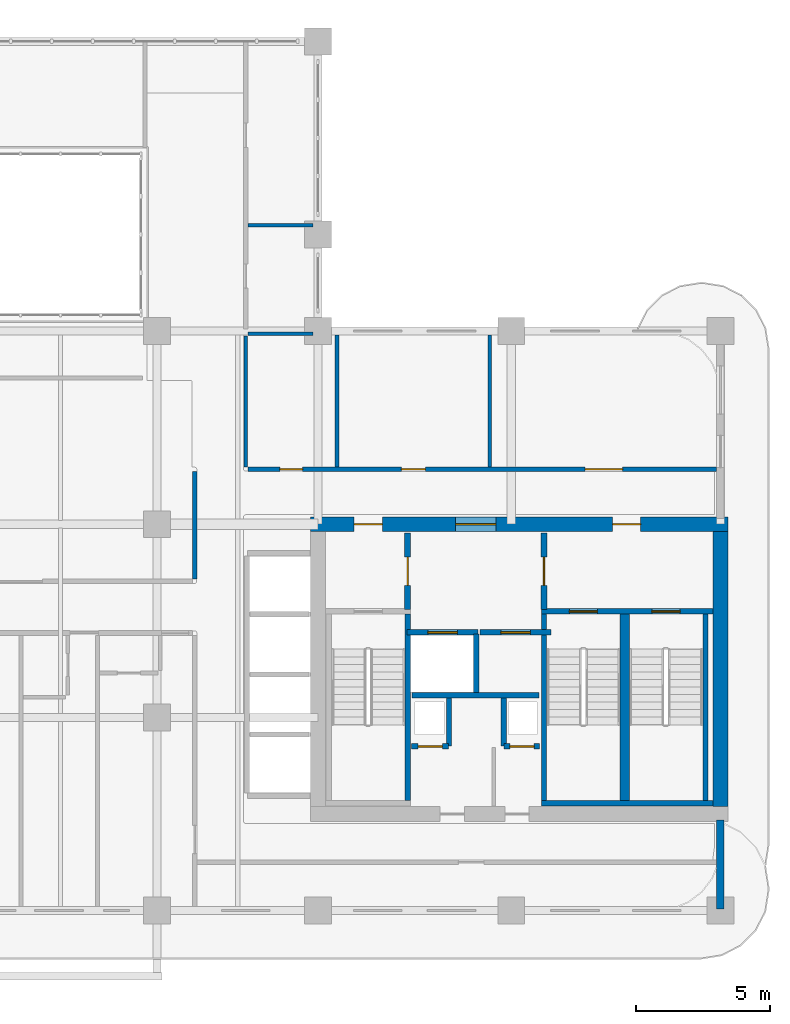
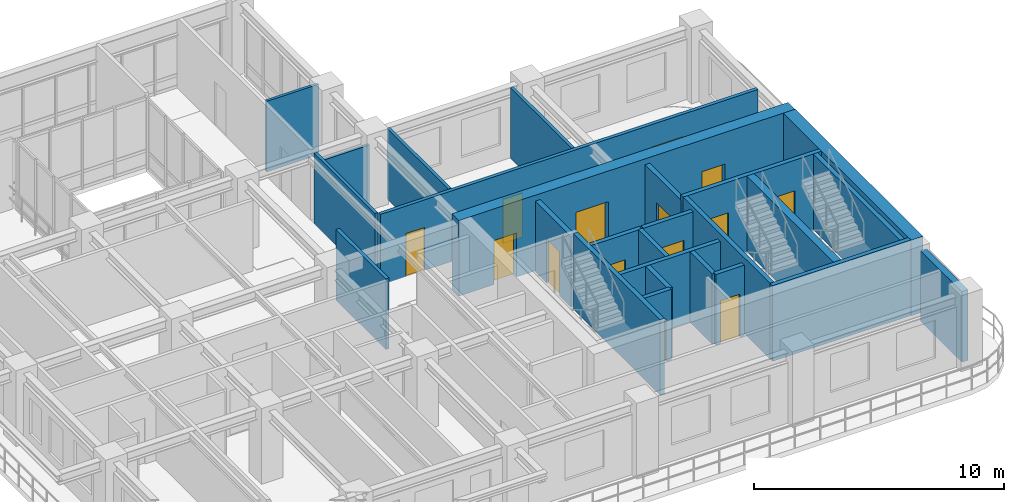
# One storey, part 13 of 20: 26 walls, 14 doors, 14 openings.
"""IFC4 building model written with IfcOpenShell, lengths in metres."""

import ifcopenshell
import ifcopenshell.guid

model = None  # the IFC model being written
_history = None  # IfcOwnerHistory: only IFC2X3 demands one
_inside = {}  # id of a spatial element -> (the spatial element, [elements in it])
_under = {}  # id of a project, library or spatial element -> (it, [spatial elements below it])
_declared = {}  # id of a project -> (the project, [libraries it declares])
_typed = {}  # id of a type object -> (the type object, [elements of that type])
_made_of = {}  # id of a material, layer set ... -> (it, [elements and type objects made of it])


def new_model(schema):
    """Start an empty IFC model of exactly this schema.

    Asked for "IFC4X3", IfcOpenShell would pick the latest addendum, in which some entities
    have other attributes; the version numbers below select the first issue.
    IFC2X3 requires an IfcOwnerHistory on every rooted entity: one is made here for all.
    """
    global model, _history
    if schema == "IFC4X3":
        model = ifcopenshell.file(schema_version=(4, 3, 0, 0))
    else:
        model = ifcopenshell.file(schema=schema)
    _inside.clear()
    _under.clear()
    _declared.clear()
    _typed.clear()
    _made_of.clear()
    _history = None
    if model.schema == "IFC2X3":
        org = make("IfcOrganization", Name="unknown")
        user = make(
            "IfcPersonAndOrganization",
            ThePerson=make("IfcPerson", FamilyName="unknown"),
            TheOrganization=org,
        )
        app = make(
            "IfcApplication",
            ApplicationDeveloper=org,
            Version="unknown",
            ApplicationFullName="unknown",
            ApplicationIdentifier="unknown",
        )
        _history = make(
            "IfcOwnerHistory",
            OwningUser=user,
            OwningApplication=app,
            ChangeAction="ADDED",
            CreationDate=0,
        )
    return model


def make(cls, **values):
    """One entity of the class cls with the attributes given. An attribute that is None is left unset."""
    return model.create_entity(
        cls, **{name: value for name, value in values.items() if value is not None}
    )


def rooted(cls, **values):
    """An entity with a GlobalId (a new one), such as an element, a storey or a relation."""
    return make(cls, GlobalId=ifcopenshell.guid.new(), OwnerHistory=_history, **values)


def si_unit(unit_type, name, prefix=None):
    """IfcSIUnit, for example si_unit("LENGTHUNIT", "METRE", prefix="MILLI")."""
    return make("IfcSIUnit", UnitType=unit_type, Prefix=prefix, Name=name)


def derived_unit(unit_type, elements):
    """IfcDerivedUnit: a product of units, each with its exponent."""
    return make(
        "IfcDerivedUnit",
        Elements=[
            make("IfcDerivedUnitElement", Unit=unit, Exponent=power)
            for unit, power in elements
        ],
        UnitType=unit_type,
    )


def assignment(units):
    """IfcUnitAssignment: the units of a project."""
    return None if units is None else make("IfcUnitAssignment", Units=units)


def point(xyz):
    """IfcCartesianPoint."""
    return None if xyz is None else make("IfcCartesianPoint", Coordinates=xyz)


def direction(xyz):
    """IfcDirection."""
    return None if xyz is None else make("IfcDirection", DirectionRatios=xyz)


def frame(location, z_axis=None, x_axis=None):
    """IfcAxis2Placement3D, a coordinate frame: its origin and axes. An axis left out is left unset."""
    return make(
        "IfcAxis2Placement3D",
        Location=point(location),
        Axis=direction(z_axis),
        RefDirection=direction(x_axis),
    )


def frame_2d(location, x_axis=None):
    """IfcAxis2Placement2D, a coordinate frame in the plane: its origin and x axis."""
    return make(
        "IfcAxis2Placement2D", Location=point(location), RefDirection=direction(x_axis)
    )


def origin():
    """The frame at (0, 0, 0) with its axes left unset."""
    return frame((0.0, 0.0, 0.0))


def place(relative_to, where):
    """IfcLocalPlacement: puts the frame where relative to a parent placement (None: the world)."""
    return make(
        "IfcLocalPlacement", PlacementRelTo=relative_to, RelativePlacement=where
    )


def context(
    kind, dimensions, precision=None, world=None, true_north=None, identifier=None
):
    """IfcGeometricRepresentationContext, for example the 3D "Model" context."""
    return make(
        "IfcGeometricRepresentationContext",
        ContextIdentifier=identifier,
        ContextType=kind,
        CoordinateSpaceDimension=dimensions,
        Precision=precision,
        WorldCoordinateSystem=world,
        TrueNorth=true_north,
    )


def subcontext(parent, identifier, kind, view, scale=None):
    """IfcGeometricRepresentationSubContext, for example "Body" below "Model"."""
    return make(
        "IfcGeometricRepresentationSubContext",
        ContextIdentifier=identifier,
        ContextType=kind,
        ParentContext=parent,
        TargetScale=scale,
        TargetView=view,
    )


def project(units=None, contexts=None):
    """IfcProject with its units and contexts."""
    return rooted(
        "IfcProject",
        Name="project",
        RepresentationContexts=contexts,
        UnitsInContext=assignment(units),
    )


def spatial(cls, under=None, at=None, **own):
    """A site, building, storey or space (cls), placed at a placement, below another one or the project."""
    s = rooted(cls, ObjectPlacement=at, **own)
    if under is not None:
        _under.setdefault(under.id(), (under, []))[1].append(s)
    return s


def profile(cls, at=None, kind="AREA", **sizes):
    """A parametric profile (cls). Its sizes go by their IFC names, for example OverallWidth=200.0."""
    return make(cls, ProfileType=kind, Position=at, **sizes)


def rectangle(**sizes):
    """IfcRectangleProfileDef."""
    return profile("IfcRectangleProfileDef", **sizes)


def extrude(swept, where, along, depth):
    """IfcExtrudedAreaSolid: the profile swept, set in the frame where, extruded along a direction by depth."""
    return make(
        "IfcExtrudedAreaSolid",
        SweptArea=swept,
        Position=where,
        ExtrudedDirection=direction(along),
        Depth=depth,
    )


def shape(context_of_items, identifier, shape_type, items):
    """IfcShapeRepresentation: the items that make up one representation, for example the "Body"."""
    return make(
        "IfcShapeRepresentation",
        ContextOfItems=context_of_items,
        RepresentationIdentifier=identifier,
        RepresentationType=shape_type,
        Items=items,
    )


def source(mapping_origin, context_of_items, identifier, shape_type, items):
    """IfcRepresentationMap: a shape defined once, which mapped items show again and again."""
    return make(
        "IfcRepresentationMap",
        MappingOrigin=mapping_origin,
        MappedRepresentation=shape(context_of_items, identifier, shape_type, items),
    )


def transform(
    local_origin,
    x_axis=None,
    y_axis=None,
    z_axis=None,
    scale=None,
    scale2=None,
    scale3=None,
    uniform=True,
):
    """IfcCartesianTransformationOperator3D, or its non-uniform kind. x_axis, y_axis, z_axis: its Axis1, 2, 3."""
    if uniform:
        return make(
            "IfcCartesianTransformationOperator3D",
            Axis1=direction(x_axis),
            Axis2=direction(y_axis),
            LocalOrigin=point(local_origin),
            Scale=scale,
            Axis3=direction(z_axis),
        )
    return make(
        "IfcCartesianTransformationOperator3DnonUniform",
        Axis1=direction(x_axis),
        Axis2=direction(y_axis),
        LocalOrigin=point(local_origin),
        Scale=scale,
        Axis3=direction(z_axis),
        Scale2=scale2,
        Scale3=scale3,
    )


def mapped(mapping_source, mapping_target):
    """IfcMappedItem: shows the shape of a source again, moved by a transform."""
    return make(
        "IfcMappedItem", MappingSource=mapping_source, MappingTarget=mapping_target
    )


def material(Name=None, Category=None):
    """IfcMaterial."""
    return make("IfcMaterial", Name=Name, Category=Category)


def layer(
    of_material, thickness, ventilated=None, Name=None, Category=None, Priority=None
):
    """IfcMaterialLayer: one layer of a wall or slab, of a material (None: an air gap)."""
    return make(
        "IfcMaterialLayer",
        Material=of_material,
        LayerThickness=thickness,
        IsVentilated=ventilated,
        Name=Name,
        Category=Category,
        Priority=Priority,
    )


def layer_set(layers, Name=None):
    """IfcMaterialLayerSet."""
    return make("IfcMaterialLayerSet", MaterialLayers=layers, LayerSetName=Name)


def made_of(thing, what):
    """Note that an element or type object is made of a material, layer set ...; save() writes the relation."""
    if what is not None:
        _made_of.setdefault(what.id(), (what, []))[1].append(thing)
    return thing


def type_object(cls, material=None, **own):
    """A type object (cls), such as IfcWallType, which elements share."""
    return made_of(rooted(cls, **own), material)


def type_shapes(of_type, sources):
    """Give a type object the sources (RepresentationMaps) that its elements show as mapped items."""
    of_type.RepresentationMaps = sources


def element(
    cls,
    number,
    at=None,
    inside=None,
    cuts=None,
    type_object=None,
    material=None,
    context=None,
    identifier="Body",
    shape_type=None,
    held_by="IfcProductDefinitionShape",
    body=None,
    shapes=None,
    **own,
):
    """One element of the class cls, such as IfcWall. Its Tag is "e" and its number.

    at: its placement. inside: the storey or other place that contains it. cuts: it is an
    opening in that element (IfcRelVoidsElement). A single representation is given by context,
    identifier, shape_type and body (its items); several are given by shapes. held_by: the class
    of the entity that holds the representations. save() writes the other relations.
    """
    e = rooted(cls, Tag="e%d" % number, ObjectPlacement=at, **own)
    if body is not None:
        shapes = [shape(context, identifier, shape_type, body)]
    if shapes is not None:
        e.Representation = make(held_by, Representations=shapes)
    if inside is not None:
        _inside.setdefault(inside.id(), (inside, []))[1].append(e)
    if cuts is not None:
        rooted(
            "IfcRelVoidsElement", RelatingBuildingElement=cuts, RelatedOpeningElement=e
        )
    if type_object is not None:
        _typed.setdefault(type_object.id(), (type_object, []))[1].append(e)
    return made_of(e, material)


def fill(opening, filler):
    """IfcRelFillsElement: the door or window that sits in an opening."""
    return rooted(
        "IfcRelFillsElement",
        RelatingOpeningElement=opening,
        RelatedBuildingElement=filler,
    )


def aggregate(whole, parts):
    """IfcRelAggregates: a whole, such as a stair, and the parts it consists of."""
    return rooted("IfcRelAggregates", RelatingObject=whole, RelatedObjects=parts)


def save(model, path):
    """Write the relations noted so far, then the file.

    IfcRelAggregates (storeys below a building ...), IfcRelContainedInSpatialStructure (elements
    in a storey), IfcRelDefinesByType, IfcRelAssociatesMaterial and IfcRelDeclares: one each for
    every whole, place, type object, material and project.
    """
    for whole, parts in _under.values():
        aggregate(whole, parts)
    for where, things in _inside.values():
        rooted(
            "IfcRelContainedInSpatialStructure",
            RelatedElements=things,
            RelatingStructure=where,
        )
    for kind, things in _typed.values():
        rooted("IfcRelDefinesByType", RelatedObjects=things, RelatingType=kind)
    for what, things in _made_of.values():
        rooted("IfcRelAssociatesMaterial", RelatedObjects=things, RelatingMaterial=what)
    for by, libraries in _declared.values():
        rooted("IfcRelDeclares", RelatingContext=by, RelatedDefinitions=libraries)
    model.write(path)


model = new_model("IFC4")

# Units and contexts
model_context = context("Model", 3, precision=1e-05, world=origin(), true_north=direction((0.0, 1.0)))
body_context = subcontext(model_context, "Body", "Model", "MODEL_VIEW")
ifc_project = project(units=[si_unit("LENGTHUNIT", "METRE"), si_unit("AREAUNIT", "SQUARE_METRE"), si_unit("VOLUMEUNIT", "CUBIC_METRE"), si_unit("PLANEANGLEUNIT", "RADIAN"), si_unit("MASSUNIT", "GRAM", prefix="KILO"), si_unit("THERMODYNAMICTEMPERATUREUNIT", "KELVIN"), si_unit("POWERUNIT", "WATT"), derived_unit("THERMALTRANSMITTANCEUNIT", [(si_unit("POWERUNIT", "WATT"), 1), (si_unit("AREAUNIT", "SQUARE_METRE"), -1), (si_unit("THERMODYNAMICTEMPERATUREUNIT", "KELVIN"), -1)])], contexts=[model_context])

# Site, building, storey
site_placement = place(None, origin())
site = spatial("IfcSite", under=ifc_project, at=site_placement, CompositionType="ELEMENT")
building_placement = place(site_placement, origin())
building = spatial("IfcBuilding", under=site, at=building_placement, Name="Zahravan Archway Hotel and Residences", CompositionType="ELEMENT")
storey_placement = place(building_placement, frame((0.0, 0.0, 119.199951171875)))
storey = spatial("IfcBuildingStorey", under=building, at=storey_placement, Name="L29", CompositionType="ELEMENT", Elevation=119.199951171875)

# Wall, openings, doors
ifc_material_1 = material(Name="Concrete C70/85", Category="concrete")
ifc_layer_1 = layer(ifc_material_1, 0.550048828125, Name="Concrete C70/85", Category="concrete")
ifc_layer_set_1 = layer_set([ifc_layer_1], Name="Concrete C70/85")
wall_type_1 = type_object("IfcWallType", Name="CW-CORE-550", PredefinedType="SHEAR", material=ifc_layer_set_1)
wall_1_placement = place(storey_placement, frame((34.52490234375, 14.39990234375, 0.0), z_axis=(0.0, 0.0, 1.0), x_axis=(1.0, 0.0, 0.0)))
wall_1 = element("IfcWall", 1, at=wall_1_placement, inside=storey, type_object=wall_type_1, Name="L29 Core A Shear N Wall 550 mm", PredefinedType="SHEAR", context=body_context, shape_type="SweptSolid", body=[
    extrude(rectangle(XDim=15.550048828125, YDim=0.550048828125, at=frame_2d((7.77490234375, 0.0))), origin(), (0.0, 0.0, 1.0), 3.699951171875),
])
opening_1_placement = place(wall_1_placement, frame((5.405029296875, 0.0, 0.0)))
opening_1 = element("IfcOpeningElement", 2, at=opening_1_placement, cuts=wall_1, Name="Opening FD-L1", PredefinedType="OPENING", context=body_context, shape_type="SweptSolid", body=[
    extrude(rectangle(XDim=1.5, YDim=2.199951171875, at=frame_2d((0.75, 1.10009765625))), frame((0.0, 0.28515625, 0.0), z_axis=(0.0, -1.0, 0.0), x_axis=(1.0, 0.0, 0.0)), (0.0, 0.0, 1.0), 0.570068359375),
])
opening_2_placement = place(wall_1_placement, frame((1.6201171875, 0.0, 0.0)))
opening_2 = element("IfcOpeningElement", 3, at=opening_2_placement, cuts=wall_1, Name="Opening FD-L2", PredefinedType="OPENING", context=body_context, shape_type="SweptSolid", body=[
    extrude(rectangle(XDim=1.050048828125, YDim=2.14990234375, at=frame_2d((0.52490234375, 1.074951171875))), frame((0.0, 0.28515625, 0.0), z_axis=(0.0, -1.0, 0.0), x_axis=(1.0, 0.0, 0.0)), (0.0, 0.0, 1.0), 0.570068359375),
])
opening_3_placement = place(wall_1_placement, frame((11.25, 0.0, 0.0)))
opening_3 = element("IfcOpeningElement", 4, at=opening_3_placement, cuts=wall_1, Name="Opening FD-L2", PredefinedType="OPENING", context=body_context, shape_type="SweptSolid", body=[
    extrude(rectangle(XDim=1.050048828125, YDim=2.14990234375, at=frame_2d((0.52490234375, 1.074951171875))), frame((0.0, 0.28515625, 0.0), z_axis=(0.0, -1.0, 0.0), x_axis=(1.0, 0.0, 0.0)), (0.0, 0.0, 1.0), 0.570068359375),
])
ifc_material_2 = material(Name="Fire-Rated Painted Steel", Category="steel")
door_type_1 = type_object("IfcDoorType", Name="FD-LOBBY-1100", OperationType="NOTDEFINED", PredefinedType="DOOR", material=ifc_material_2)
shared_shape_1 = source(origin(), body_context, "Body", "SweptSolid", [
    extrude(rectangle(XDim=1.050048828125, YDim=2.14990234375, at=frame_2d((0.52490234375, 1.074951171875))), frame((0.0, 0.02490234375, 0.0), z_axis=(0.0, -1.0, 0.0), x_axis=(1.0, 0.0, 0.0)), (0.0, 0.0, 1.0), 0.050048828125),
])
type_shapes(door_type_1, [shared_shape_1])
door_1_placement = place(opening_2_placement, origin())
door_1 = element("IfcDoor", 5, at=door_1_placement, inside=storey, type_object=door_type_1, Name="L29 Core A West Stair Lobby Door", OperationType="SINGLE_SWING_RIGHT", OverallHeight=2.14990234375, OverallWidth=1.050048828125, PredefinedType="DOOR", context=body_context, shape_type="MappedRepresentation", body=[
    mapped(shared_shape_1, transform((0.0, 0.0, 0.0), scale=1.0)),
])
fill(opening_2, door_1)
door_2_placement = place(opening_3_placement, origin())
door_2 = element("IfcDoor", 6, at=door_2_placement, inside=storey, type_object=door_type_1, Name="L29 Core A East Stair Lobby Door", OperationType="SINGLE_SWING_LEFT", OverallHeight=2.14990234375, OverallWidth=1.050048828125, PredefinedType="DOOR", context=body_context, shape_type="MappedRepresentation", body=[
    mapped(shared_shape_1, transform((0.0, 0.0, 0.0), scale=1.0)),
])
fill(opening_3, door_2)
door_type_2 = type_object("IfcDoorType", Name="FD-LOBBY-1500", OperationType="DOUBLE_DOOR_SINGLE_SWING", PredefinedType="DOOR", material=ifc_material_2)
shared_shape_2 = source(origin(), body_context, "Body", "SweptSolid", [
    extrude(rectangle(XDim=1.5, YDim=2.199951171875, at=frame_2d((0.75, 1.10009765625))), frame((0.0, 0.02490234375, 0.0), z_axis=(0.0, -1.0, 0.0), x_axis=(1.0, 0.0, 0.0)), (0.0, 0.0, 1.0), 0.050048828125),
])
type_shapes(door_type_2, [shared_shape_2])
door_3_placement = place(opening_1_placement, origin())
door_3 = element("IfcDoor", 7, at=door_3_placement, inside=storey, type_object=door_type_2, Name="L29 Core A FSAE Lobby Main Door", OperationType="DOUBLE_DOOR_SINGLE_SWING", OverallHeight=2.199951171875, OverallWidth=1.5, PredefinedType="DOOR", context=body_context, shape_type="MappedRepresentation", body=[
    mapped(shared_shape_2, transform((0.0, 0.0, 0.0), scale=1.0)),
])
fill(opening_1, door_3)

# Walls
wall_2_placement = place(storey_placement, frame((49.800048828125, 3.875, 0.0), z_axis=(0.0, 0.0, 1.0), x_axis=(0.0, 1.0, 0.0)))
element("IfcWall", 8, at=wall_2_placement, inside=storey, type_object=wall_type_1, Name="L29 Core A Shear E Wall 550 mm", PredefinedType="SHEAR", context=body_context, shape_type="SweptSolid", body=[
    extrude(rectangle(XDim=10.25, YDim=0.550048828125, at=frame_2d((5.125, 0.0))), origin(), (0.0, 0.0, 1.0), 3.699951171875),
])
ifc_material_3 = material(Name="Honed Red-Ochre Sandstone & Insulated Block", Category="masonry")
ifc_layer_2 = layer(ifc_material_3, 0.280029296875, Name="Honed Red-Ochre Sandstone & Insulated Block", Category="masonry")
ifc_layer_set_2 = layer_set([ifc_layer_2], Name="Honed Red-Ochre Sandstone & Insulated Block")
wall_type_2 = type_object("IfcWallType", Name="EW-LOG-280", PredefinedType="SOLIDWALL", material=ifc_layer_set_2)
wall_3_placement = place(storey_placement, frame((49.800048828125, 0.050048828125, 0.0), z_axis=(0.0, 0.0, 1.0), x_axis=(0.0, 1.0, 0.0)))
element("IfcWall", 9, at=wall_3_placement, inside=storey, type_object=wall_type_2, Name="L29 Exterior Sandstone Wall WA-ES", PredefinedType="SOLIDWALL", context=body_context, shape_type="SweptSolid", body=[
    extrude(rectangle(XDim=3.329833984375, YDim=0.280029296875, at=frame_2d((1.6650390625, 0.0))), origin(), (0.0, 0.0, 1.0), 3.449951171875),
])

# Wall, opening, door
ifc_material_4 = material(Name="Fire-Rated Gypsum & Concrete Block", Category="concrete")
ifc_layer_3 = layer(ifc_material_4, 0.219970703125, Name="Fire-Rated Gypsum & Concrete Block", Category="concrete")
ifc_layer_set_3 = layer_set([ifc_layer_3], Name="Fire-Rated Gypsum & Concrete Block")
wall_type_3 = type_object("IfcWallType", Name="PW-COMP-220", PredefinedType="PARTITIONING", material=ifc_layer_set_3)
wall_4_placement = place(storey_placement, frame((38.139892578125, 11.219970703125, 0.0), z_axis=(0.0, 0.0, 1.0), x_axis=(0.0, 1.0, 0.0)))
wall_4 = element("IfcWall", 10, at=wall_4_placement, inside=storey, type_object=wall_type_3, Name="L29 Partition CA-LOBW", PredefinedType="PARTITIONING", context=body_context, shape_type="SweptSolid", body=[
    extrude(rectangle(XDim=2.860107421875, YDim=0.219970703125, at=frame_2d((1.43017578125, 0.0))), origin(), (0.0, 0.0, 1.0), 3.449951171875),
])
opening_4_placement = place(wall_4_placement, frame((0.905029296875, 0.0, 0.0)))
opening_4 = element("IfcOpeningElement", 11, at=opening_4_placement, cuts=wall_4, Name="Opening FD-L2", PredefinedType="OPENING", context=body_context, shape_type="SweptSolid", body=[
    extrude(rectangle(XDim=1.050048828125, YDim=2.14990234375, at=frame_2d((0.52490234375, 1.074951171875))), frame((0.0, 0.1201171875, 0.0), z_axis=(0.0, -1.0, 0.0), x_axis=(1.0, 0.0, 0.0)), (0.0, 0.0, 1.0), 0.239990234375),
])
door_4_placement = place(opening_4_placement, origin())
door_4 = element("IfcDoor", 12, at=door_4_placement, inside=storey, type_object=door_type_1, Name="L29 Core A West Stair to FSAE Lobby Door", OperationType="SINGLE_SWING_RIGHT", OverallHeight=2.14990234375, OverallWidth=1.050048828125, PredefinedType="DOOR", context=body_context, shape_type="MappedRepresentation", body=[
    mapped(shared_shape_1, transform((0.0, 0.0, 0.0), scale=1.0)),
])
fill(opening_4, door_4)

wall_5_placement = place(storey_placement, frame((43.219970703125, 11.219970703125, 0.0), z_axis=(0.0, 0.0, 1.0), x_axis=(0.0, 1.0, 0.0)))
wall_5 = element("IfcWall", 13, at=wall_5_placement, inside=storey, type_object=wall_type_3, Name="L29 Partition CA-LOBE", PredefinedType="PARTITIONING", context=body_context, shape_type="SweptSolid", body=[
    extrude(rectangle(XDim=2.860107421875, YDim=0.219970703125, at=frame_2d((1.43017578125, 0.0))), origin(), (0.0, 0.0, 1.0), 3.449951171875),
])
opening_5_placement = place(wall_5_placement, frame((0.905029296875, 0.0, 0.0)))
opening_5 = element("IfcOpeningElement", 14, at=opening_5_placement, cuts=wall_5, Name="Opening FD-L2", PredefinedType="OPENING", context=body_context, shape_type="SweptSolid", body=[
    extrude(rectangle(XDim=1.050048828125, YDim=2.14990234375, at=frame_2d((0.52490234375, 1.074951171875))), frame((0.0, 0.1201171875, 0.0), z_axis=(0.0, -1.0, 0.0), x_axis=(1.0, 0.0, 0.0)), (0.0, 0.0, 1.0), 0.239990234375),
])
door_5_placement = place(opening_5_placement, origin())
door_5 = element("IfcDoor", 15, at=door_5_placement, inside=storey, type_object=door_type_1, Name="L29 Core A East Stair to FSAE Lobby Door", OperationType="SINGLE_SWING_LEFT", OverallHeight=2.14990234375, OverallWidth=1.050048828125, PredefinedType="DOOR", context=body_context, shape_type="MappedRepresentation", body=[
    mapped(shared_shape_1, transform((0.0, 0.0, 0.0), scale=1.0)),
])
fill(opening_5, door_5)

# Wall
ifc_layer_4 = layer(ifc_material_4, 0.159912109375, Name="Fire-Rated Gypsum & Concrete Block", Category="concrete")
ifc_layer_set_4 = layer_set([ifc_layer_4], Name="Fire-Rated Gypsum & Concrete Block")
wall_type_4 = type_object("IfcWallType", Name="PW-CORR-160", PredefinedType="PARTITIONING", material=ifc_layer_set_4)
wall_6_placement = place(storey_placement, frame((30.199951171875, 12.360107421875, 0.0), z_axis=(0.0, 0.0, 1.0), x_axis=(0.0, 1.0, 0.0)))
element("IfcWall", 16, at=wall_6_placement, inside=storey, type_object=wall_type_4, Name="L29 Partition WA-FW", PredefinedType="PARTITIONING", context=body_context, shape_type="SweptSolid", body=[
    extrude(rectangle(XDim=4.0, YDim=0.159912109375, at=frame_2d((2.0, 0.0))), origin(), (0.0, 0.0, 1.0), 3.449951171875),
])

# Wall, openings, doors
wall_7_placement = place(storey_placement, frame((32.18994140625, 16.449951171875, 0.0), z_axis=(0.0, 0.0, 1.0), x_axis=(1.0, 0.0, 0.0)))
wall_7 = element("IfcWall", 17, at=wall_7_placement, inside=storey, type_object=wall_type_4, Name="L29 Partition WA-FN", PredefinedType="PARTITIONING", context=body_context, shape_type="SweptSolid", body=[
    extrude(rectangle(XDim=17.469970703125, YDim=0.159912109375, at=frame_2d((8.73486328125, 0.0))), origin(), (0.0, 0.0, 1.0), 3.449951171875),
])
opening_6_placement = place(wall_7_placement, frame((1.18505859375, 0.0, 0.0)))
opening_6 = element("IfcOpeningElement", 18, at=opening_6_placement, cuts=wall_7, Name="Opening D-B1", PredefinedType="OPENING", context=body_context, shape_type="SweptSolid", body=[
    extrude(rectangle(XDim=0.85009765625, YDim=2.10009765625, at=frame_2d((0.425048828125, 1.050048828125))), frame((0.0, 0.08984375, 0.0), z_axis=(0.0, -1.0, 0.0), x_axis=(1.0, 0.0, 0.0)), (0.0, 0.0, 1.0), 0.179931640625),
])
opening_7_placement = place(wall_7_placement, frame((5.7099609375, 0.0, 0.0)))
opening_7 = element("IfcOpeningElement", 19, at=opening_7_placement, cuts=wall_7, Name="Opening D-I2", PredefinedType="OPENING", context=body_context, shape_type="SweptSolid", body=[
    extrude(rectangle(XDim=0.89990234375, YDim=2.14990234375, at=frame_2d((0.449951171875, 1.074951171875))), frame((0.0, 0.08984375, 0.0), z_axis=(0.0, -1.0, 0.0), x_axis=(1.0, 0.0, 0.0)), (0.0, 0.0, 1.0), 0.179931640625),
])
opening_8_placement = place(wall_7_placement, frame((12.56005859375, 0.0, 0.0)))
opening_8 = element("IfcOpeningElement", 20, at=opening_8_placement, cuts=wall_7, Name="Opening D-P1", PredefinedType="OPENING", context=body_context, shape_type="SweptSolid", body=[
    extrude(rectangle(XDim=1.39990234375, YDim=2.35009765625, at=frame_2d((0.699951171875, 1.175048828125))), frame((0.0, 0.08984375, 0.0), z_axis=(0.0, -1.0, 0.0), x_axis=(1.0, 0.0, 0.0)), (0.0, 0.0, 1.0), 0.179931640625),
])
ifc_material_5 = material(Name="Hardwood Veneer Timber", Category="wood")
door_type_3 = type_object("IfcDoorType", Name="ID-BATH-850", OperationType="NOTDEFINED", PredefinedType="DOOR", material=ifc_material_5)
shared_shape_3 = source(origin(), body_context, "Body", "SweptSolid", [
    extrude(rectangle(XDim=0.85009765625, YDim=2.10009765625, at=frame_2d((0.425048828125, 1.050048828125))), frame((0.0, 0.02490234375, 0.0), z_axis=(0.0, -1.0, 0.0), x_axis=(1.0, 0.0, 0.0)), (0.0, 0.0, 1.0), 0.050048828125),
])
type_shapes(door_type_3, [shared_shape_3])
door_6_placement = place(opening_6_placement, origin())
door_6 = element("IfcDoor", 21, at=door_6_placement, inside=storey, type_object=door_type_3, Name="L29 Accessible Floor Restroom Door", OperationType="SINGLE_SWING_LEFT", OverallHeight=2.10009765625, OverallWidth=0.85009765625, PredefinedType="DOOR", context=body_context, shape_type="MappedRepresentation", body=[
    mapped(shared_shape_3, transform((0.0, 0.0, 0.0), scale=1.0)),
])
fill(opening_6, door_6)
ifc_material_6 = material(Name="Bronze-Anodized Glazed Aluminium", Category="aluminium")
door_type_4 = type_object("IfcDoorType", Name="ID-PUBLIC-1400", OperationType="DOUBLE_DOOR_SINGLE_SWING", PredefinedType="DOOR", material=ifc_material_6)
shared_shape_4 = source(origin(), body_context, "Body", "SweptSolid", [
    extrude(rectangle(XDim=1.39990234375, YDim=2.35009765625, at=frame_2d((0.699951171875, 1.175048828125))), frame((0.0, 0.02490234375, 0.0), z_axis=(0.0, -1.0, 0.0), x_axis=(1.0, 0.0, 0.0)), (0.0, 0.0, 1.0), 0.050048828125),
])
type_shapes(door_type_4, [shared_shape_4])
door_7_placement = place(opening_8_placement, origin())
door_7 = element("IfcDoor", 22, at=door_7_placement, inside=storey, type_object=door_type_4, Name="L29 Co-Working Room Door", OperationType="DOUBLE_DOOR_SINGLE_SWING", OverallHeight=2.35009765625, OverallWidth=1.39990234375, PredefinedType="DOOR", context=body_context, shape_type="MappedRepresentation", body=[
    mapped(shared_shape_4, transform((0.0, 0.0, 0.0), scale=1.0)),
])
fill(opening_8, door_7)
door_type_5 = type_object("IfcDoorType", Name="ID-INT-900", OperationType="NOTDEFINED", PredefinedType="DOOR", material=ifc_material_5)
shared_shape_5 = source(origin(), body_context, "Body", "SweptSolid", [
    extrude(rectangle(XDim=0.89990234375, YDim=2.14990234375, at=frame_2d((0.449951171875, 1.074951171875))), frame((0.0, 0.02490234375, 0.0), z_axis=(0.0, -1.0, 0.0), x_axis=(1.0, 0.0, 0.0)), (0.0, 0.0, 1.0), 0.050048828125),
])
type_shapes(door_type_5, [shared_shape_5])
door_8_placement = place(opening_7_placement, origin())
door_8 = element("IfcDoor", 23, at=door_8_placement, inside=storey, type_object=door_type_5, Name="L29 Tea Servery Door", OperationType="SINGLE_SWING_RIGHT", OverallHeight=2.14990234375, OverallWidth=0.89990234375, PredefinedType="DOOR", context=body_context, shape_type="MappedRepresentation", body=[
    mapped(shared_shape_5, transform((0.0, 0.0, 0.0), scale=1.0)),
])
fill(opening_7, door_8)

# Walls
ifc_material_7 = material(Name="Acoustic Stud Partition")
ifc_layer_5 = layer(ifc_material_7, 0.125, Name="Acoustic Stud Partition")
ifc_layer_set_5 = layer_set([ifc_layer_5], Name="Acoustic Stud Partition")
wall_type_5 = type_object("IfcWallType", Name="PW-INT-125", PredefinedType="PARTITIONING", material=ifc_layer_set_5)
wall_8_placement = place(storey_placement, frame((32.18994140625, 25.550048828125, 0.0), z_axis=(0.0, 0.0, 1.0), x_axis=(1.0, 0.0, 0.0)))
element("IfcWall", 24, at=wall_8_placement, inside=storey, type_object=wall_type_5, Name="L29 Partition ATR-EM1", PredefinedType="PARTITIONING", context=body_context, shape_type="SweptSolid", body=[
    extrude(rectangle(XDim=2.420166015625, YDim=0.125, at=frame_2d((1.2099609375, 0.0))), origin(), (0.0, 0.0, 1.0), 3.449951171875),
])
ifc_layer_6 = layer(ifc_material_4, 0.199951171875, Name="Fire-Rated Gypsum & Concrete Block", Category="concrete")
ifc_layer_set_6 = layer_set([ifc_layer_6], Name="Fire-Rated Gypsum & Concrete Block")
wall_type_6 = type_object("IfcWallType", Name="PW-SHAFT-200", PredefinedType="PARTITIONING", material=ifc_layer_set_6)
wall_9_placement = place(storey_placement, frame((38.300048828125, 8.030029296875, 0.0), z_axis=(0.0, 0.0, 1.0), x_axis=(1.0, 0.0, 0.0)))
element("IfcWall", 25, at=wall_9_placement, inside=storey, type_object=wall_type_6, Name="L29 Partition CA-FLS", PredefinedType="PARTITIONING", context=body_context, shape_type="SweptSolid", body=[
    extrude(rectangle(XDim=4.739990234375, YDim=0.199951171875, at=frame_2d((2.3701171875, 0.0))), origin(), (0.0, 0.0, 1.0), 3.449951171875),
])
wall_10_placement = place(storey_placement, frame((40.699951171875, 8.1201171875, 0.0), z_axis=(0.0, 0.0, 1.0), x_axis=(0.0, 1.0, 0.0)))
element("IfcWall", 26, at=wall_10_placement, inside=storey, type_object=wall_type_6, Name="L29 Partition CA-FLM", PredefinedType="PARTITIONING", context=body_context, shape_type="SweptSolid", body=[
    extrude(rectangle(XDim=2.179931640625, YDim=0.199951171875, at=frame_2d((1.08984375, 0.0))), origin(), (0.0, 0.0, 1.0), 3.449951171875),
])

# Wall, opening, door
wall_11_placement = place(storey_placement, frame((38.2900390625, 6.1201171875, 0.0), z_axis=(0.0, 0.0, 1.0), x_axis=(1.0, 0.0, 0.0)))
wall_11 = element("IfcWall", 27, at=wall_11_placement, inside=storey, type_object=wall_type_6, Name="L29 Partition CA-SMKS", PredefinedType="PARTITIONING", context=body_context, shape_type="SweptSolid", body=[
    extrude(rectangle(XDim=1.3798828125, YDim=0.199951171875, at=frame_2d((0.68994140625, 0.0))), origin(), (0.0, 0.0, 1.0), 3.449951171875),
])
opening_9_placement = place(wall_11_placement, frame((0.239990234375, 0.0, 0.0)))
opening_9 = element("IfcOpeningElement", 28, at=opening_9_placement, cuts=wall_11, Name="Opening FD-R1", PredefinedType="OPENING", context=body_context, shape_type="SweptSolid", body=[
    extrude(rectangle(XDim=0.89990234375, YDim=2.10009765625, at=frame_2d((0.449951171875, 1.050048828125))), frame((0.0, 0.10986328125, 0.0), z_axis=(0.0, -1.0, 0.0), x_axis=(1.0, 0.0, 0.0)), (0.0, 0.0, 1.0), 0.219970703125),
])
door_type_6 = type_object("IfcDoorType", Name="FD-RISER-900", OperationType="NOTDEFINED", PredefinedType="DOOR", material=ifc_material_2)
shared_shape_6 = source(origin(), body_context, "Body", "SweptSolid", [
    extrude(rectangle(XDim=0.89990234375, YDim=2.10009765625, at=frame_2d((0.449951171875, 1.050048828125))), frame((0.0, 0.02490234375, 0.0), z_axis=(0.0, -1.0, 0.0), x_axis=(1.0, 0.0, 0.0)), (0.0, 0.0, 1.0), 0.050048828125),
])
type_shapes(door_type_6, [shared_shape_6])
door_9_placement = place(opening_9_placement, origin())
door_9 = element("IfcDoor", 29, at=door_9_placement, inside=storey, type_object=door_type_6, Name="L29 Smoke Riser Access Door", OperationType="SINGLE_SWING_RIGHT", OverallHeight=2.10009765625, OverallWidth=0.89990234375, PredefinedType="DOOR", context=body_context, shape_type="MappedRepresentation", body=[
    mapped(shared_shape_6, transform((0.0, 0.0, 0.0), scale=1.0)),
])
fill(opening_9, door_9)

# Wall
wall_12_placement = place(storey_placement, frame((39.679931640625, 6.1298828125, 0.0), z_axis=(0.0, 0.0, 1.0), x_axis=(0.0, 1.0, 0.0)))
element("IfcWall", 30, at=wall_12_placement, inside=storey, type_object=wall_type_6, Name="L29 Partition CA-SMKE", PredefinedType="PARTITIONING", context=body_context, shape_type="SweptSolid", body=[
    extrude(rectangle(XDim=1.7900390625, YDim=0.199951171875, at=frame_2d((0.89501953125, 0.0))), origin(), (0.0, 0.0, 1.0), 3.449951171875),
])

# Wall, opening, door
wall_13_placement = place(storey_placement, frame((41.72998046875, 6.1201171875, 0.0), z_axis=(0.0, 0.0, 1.0), x_axis=(1.0, 0.0, 0.0)))
wall_13 = element("IfcWall", 31, at=wall_13_placement, inside=storey, type_object=wall_type_6, Name="L29 Partition CA-MEPS", PredefinedType="PARTITIONING", context=body_context, shape_type="SweptSolid", body=[
    extrude(rectangle(XDim=1.320068359375, YDim=0.199951171875, at=frame_2d((0.66015625, 0.0))), origin(), (0.0, 0.0, 1.0), 3.449951171875),
])
opening_10_placement = place(wall_13_placement, frame((0.219970703125, 0.0, 0.0)))
opening_10 = element("IfcOpeningElement", 32, at=opening_10_placement, cuts=wall_13, Name="Opening FD-R1", PredefinedType="OPENING", context=body_context, shape_type="SweptSolid", body=[
    extrude(rectangle(XDim=0.89990234375, YDim=2.10009765625, at=frame_2d((0.449951171875, 1.050048828125))), frame((0.0, 0.10986328125, 0.0), z_axis=(0.0, -1.0, 0.0), x_axis=(1.0, 0.0, 0.0)), (0.0, 0.0, 1.0), 0.219970703125),
])
door_10_placement = place(opening_10_placement, origin())
door_10 = element("IfcDoor", 33, at=door_10_placement, inside=storey, type_object=door_type_6, Name="L29 MEP Riser Access Door", OperationType="SINGLE_SWING_LEFT", OverallHeight=2.10009765625, OverallWidth=0.89990234375, PredefinedType="DOOR", context=body_context, shape_type="MappedRepresentation", body=[
    mapped(shared_shape_6, transform((0.0, 0.0, 0.0), scale=1.0)),
])
fill(opening_10, door_10)

# Wall
wall_14_placement = place(storey_placement, frame((41.719970703125, 6.1298828125, 0.0), z_axis=(0.0, 0.0, 1.0), x_axis=(0.0, 1.0, 0.0)))
element("IfcWall", 34, at=wall_14_placement, inside=storey, type_object=wall_type_6, Name="L29 Partition CA-MEPW", PredefinedType="PARTITIONING", context=body_context, shape_type="SweptSolid", body=[
    extrude(rectangle(XDim=1.7900390625, YDim=0.199951171875, at=frame_2d((0.89501953125, 0.0))), origin(), (0.0, 0.0, 1.0), 3.449951171875),
])

# Wall, opening, door
wall_15_placement = place(storey_placement, frame((38.1201171875, 10.3701171875, 0.0), z_axis=(0.0, 0.0, 1.0), x_axis=(1.0, 0.0, 0.0)))
wall_15 = element("IfcWall", 35, at=wall_15_placement, inside=storey, type_object=wall_type_6, Name="L29 Lift FL-1 Front Wall", PredefinedType="PARTITIONING", context=body_context, shape_type="SweptSolid", body=[
    extrude(rectangle(XDim=2.639892578125, YDim=0.199951171875, at=frame_2d((1.31982421875, 0.0))), origin(), (0.0, 0.0, 1.0), 3.449951171875),
])
opening_11_placement = place(wall_15_placement, frame((0.77001953125, 0.0, 0.0)))
opening_11 = element("IfcOpeningElement", 36, at=opening_11_placement, cuts=wall_15, Name="Opening LD", PredefinedType="OPENING", context=body_context, shape_type="SweptSolid", body=[
    extrude(rectangle(XDim=1.10009765625, YDim=2.199951171875, at=frame_2d((0.550048828125, 1.10009765625))), frame((0.0, 0.10986328125, 0.0), z_axis=(0.0, -1.0, 0.0), x_axis=(1.0, 0.0, 0.0)), (0.0, 0.0, 1.0), 0.219970703125),
])
ifc_material_8 = material(Name="Brushed Stainless Steel", Category="steel")
door_type_7 = type_object("IfcDoorType", Name="DR-LIFT-LD", OperationType="SLIDING_TO_LEFT", PredefinedType="DOOR", material=ifc_material_8)
shared_shape_7 = source(origin(), body_context, "Body", "SweptSolid", [
    extrude(rectangle(XDim=1.10009765625, YDim=2.199951171875, at=frame_2d((0.550048828125, 1.10009765625))), frame((0.0, 0.02490234375, 0.0), z_axis=(0.0, -1.0, 0.0), x_axis=(1.0, 0.0, 0.0)), (0.0, 0.0, 1.0), 0.050048828125),
])
type_shapes(door_type_7, [shared_shape_7])
door_11_placement = place(opening_11_placement, origin())
door_11 = element("IfcDoor", 37, at=door_11_placement, inside=storey, type_object=door_type_7, Name="L29 Lift FL-1 Sliding Landing Door", OperationType="SLIDING_TO_LEFT", OverallHeight=2.199951171875, OverallWidth=1.10009765625, PredefinedType="DOOR", context=body_context, shape_type="MappedRepresentation", body=[
    mapped(shared_shape_7, transform((0.0, 0.0, 0.0), scale=1.0)),
])
fill(opening_11, door_11)

wall_16_placement = place(storey_placement, frame((40.840087890625, 10.3701171875, 0.0), z_axis=(0.0, 0.0, 1.0), x_axis=(1.0, 0.0, 0.0)))
wall_16 = element("IfcWall", 38, at=wall_16_placement, inside=storey, type_object=wall_type_6, Name="L29 Lift FL-2 Front Wall", PredefinedType="PARTITIONING", context=body_context, shape_type="SweptSolid", body=[
    extrude(rectangle(XDim=2.639892578125, YDim=0.199951171875, at=frame_2d((1.31982421875, 0.0))), origin(), (0.0, 0.0, 1.0), 3.449951171875),
])
opening_12_placement = place(wall_16_placement, frame((0.77001953125, 0.0, 0.0)))
opening_12 = element("IfcOpeningElement", 39, at=opening_12_placement, cuts=wall_16, Name="Opening LD", PredefinedType="OPENING", context=body_context, shape_type="SweptSolid", body=[
    extrude(rectangle(XDim=1.10009765625, YDim=2.199951171875, at=frame_2d((0.550048828125, 1.10009765625))), frame((0.0, 0.10986328125, 0.0), z_axis=(0.0, -1.0, 0.0), x_axis=(1.0, 0.0, 0.0)), (0.0, 0.0, 1.0), 0.219970703125),
])
door_12_placement = place(opening_12_placement, origin())
door_12 = element("IfcDoor", 40, at=door_12_placement, inside=storey, type_object=door_type_7, Name="L29 Lift FL-2 Sliding Landing Door", OperationType="SLIDING_TO_LEFT", OverallHeight=2.199951171875, OverallWidth=1.10009765625, PredefinedType="DOOR", context=body_context, shape_type="MappedRepresentation", body=[
    mapped(shared_shape_7, transform((0.0, 0.0, 0.0), scale=1.0)),
])
fill(opening_12, door_12)

# Walls
ifc_material_9 = material(Name="Moisture-Resistant Blockwork", Category="masonry")
ifc_layer_7 = layer(ifc_material_9, 0.139892578125, Name="Moisture-Resistant Blockwork", Category="masonry")
ifc_layer_set_7 = layer_set([ifc_layer_7], Name="Moisture-Resistant Blockwork")
wall_type_7 = type_object("IfcWallType", Name="PW-WET-140", PredefinedType="PARTITIONING", material=ifc_layer_set_7)
wall_17_placement = place(storey_placement, frame((32.10009765625, 16.5400390625, 0.0), z_axis=(0.0, 0.0, 1.0), x_axis=(0.0, 1.0, 0.0)))
element("IfcWall", 41, at=wall_17_placement, inside=storey, type_object=wall_type_7, Name="L29 Partition NE-W0", PredefinedType="PARTITIONING", context=body_context, shape_type="SweptSolid", body=[
    extrude(rectangle(XDim=4.869873046875, YDim=0.139892578125, at=frame_2d((2.43505859375, 0.0))), origin(), (0.0, 0.0, 1.0), 3.449951171875),
])
for number, where, z_axis, x_axis, name in (
    (42, (35.5, 16.5400390625, 0.0), (0.0, 0.0, 1.0), (0.0, 1.0, 0.0), "L29 Partition NE0-1"),
    (43, (41.199951171875, 16.5400390625, 0.0), (0.0, 0.0, 1.0), (0.0, 1.0, 0.0), "L29 Partition NE0-2"),
):
    element("IfcWall", number, at=place(storey_placement, frame(where, z_axis=z_axis, x_axis=x_axis)), inside=storey, type_object=wall_type_7, Name=name, PredefinedType="PARTITIONING", context=body_context, shape_type="SweptSolid", body=[
        extrude(rectangle(XDim=4.911865234375, YDim=0.139892578125, at=frame_2d((2.4560546875, 0.0))), origin(), (0.0, 0.0, 1.0), 3.449951171875),
    ])
wall_18_placement = place(storey_placement, frame((32.18994140625, 21.5, 0.0), z_axis=(0.0, 0.0, 1.0), x_axis=(1.0, 0.0, 0.0)))
element("IfcWall", 44, at=wall_18_placement, inside=storey, type_object=wall_type_7, Name="L29 Partition ATR-ES", PredefinedType="PARTITIONING", context=body_context, shape_type="SweptSolid", body=[
    extrude(rectangle(XDim=2.420166015625, YDim=0.139892578125, at=frame_2d((1.2099609375, 0.0))), origin(), (0.0, 0.0, 1.0), 2.93505859375),
])
ifc_material_10 = material(Name="Concrete C50/60", Category="concrete")
ifc_layer_8 = layer(ifc_material_10, 0.199951171875, Name="Concrete C50/60", Category="concrete")
ifc_layer_set_8 = layer_set([ifc_layer_8], Name="Concrete C50/60")
wall_type_8 = type_object("IfcWallType", Name="SW-STAIR-200", PredefinedType="SHEAR", material=ifc_layer_set_8)
wall_19_placement = place(storey_placement, frame((38.139892578125, 4.10009765625, 0.0), z_axis=(0.0, 0.0, 1.0), x_axis=(0.0, 1.0, 0.0)))
element("IfcWall", 45, at=wall_19_placement, inside=storey, type_object=wall_type_8, Name="L29 Stairwell RC Wall CA-SA1E", PredefinedType="SHEAR", context=body_context, shape_type="SweptSolid", body=[
    extrude(rectangle(XDim=6.949951171875, YDim=0.199951171875, at=frame_2d((3.47509765625, 0.0))), origin(), (0.0, 0.0, 1.0), 3.699951171875),
])
wall_20_placement = place(storey_placement, frame((43.1201171875, 4.0, 0.0), z_axis=(0.0, 0.0, 1.0), x_axis=(1.0, 0.0, 0.0)))
element("IfcWall", 46, at=wall_20_placement, inside=storey, type_object=wall_type_8, Name="L29 Stairwell RC Wall CA-SA23S", PredefinedType="SHEAR", context=body_context, shape_type="SweptSolid", body=[
    extrude(rectangle(XDim=6.40478515625, YDim=0.199951171875, at=frame_2d((3.202392578125, 0.0))), origin(), (0.0, 0.0, 1.0), 3.699951171875),
])
for number, where, z_axis, x_axis, name in (
    (47, (43.219970703125, 4.10009765625, 0.0), (0.0, 0.0, 1.0), (0.0, 1.0, 0.0), "L29 Stairwell RC Wall CA-SA2W"),
    (48, (49.239990234375, 4.10009765625, 0.0), (0.0, 0.0, 1.0), (0.0, 1.0, 0.0), "L29 Stairwell RC Wall CA-SA3E"),
):
    element("IfcWall", number, at=place(storey_placement, frame(where, z_axis=z_axis, x_axis=x_axis)), inside=storey, type_object=wall_type_8, Name=name, PredefinedType="SHEAR", context=body_context, shape_type="SweptSolid", body=[
        extrude(rectangle(XDim=6.949951171875, YDim=0.199951171875, at=frame_2d((3.47509765625, 0.0))), origin(), (0.0, 0.0, 1.0), 3.699951171875),
    ])

# Wall, openings, doors
wall_21_placement = place(storey_placement, frame((43.1201171875, 11.14990234375, 0.0), z_axis=(0.0, 0.0, 1.0), x_axis=(1.0, 0.0, 0.0)))
wall_21 = element("IfcWall", 49, at=wall_21_placement, inside=storey, type_object=wall_type_8, Name="L29 Stairwell RC Wall CA-SA23N", PredefinedType="SHEAR", context=body_context, shape_type="SweptSolid", body=[
    extrude(rectangle(XDim=6.40478515625, YDim=0.199951171875, at=frame_2d((3.202392578125, 0.0))), origin(), (0.0, 0.0, 1.0), 3.699951171875),
])
opening_13_placement = place(wall_21_placement, frame((1.044921875, 0.0, 0.0)))
opening_13 = element("IfcOpeningElement", 50, at=opening_13_placement, cuts=wall_21, Name="Opening FD-S1", PredefinedType="OPENING", context=body_context, shape_type="SweptSolid", body=[
    extrude(rectangle(XDim=1.050048828125, YDim=2.199951171875, at=frame_2d((0.52490234375, 1.10009765625))), frame((0.0, 0.10986328125, 0.0), z_axis=(0.0, -1.0, 0.0), x_axis=(1.0, 0.0, 0.0)), (0.0, 0.0, 1.0), 0.219970703125),
])
opening_14_placement = place(wall_21_placement, frame((4.125, 0.0, 0.0)))
opening_14 = element("IfcOpeningElement", 51, at=opening_14_placement, cuts=wall_21, Name="Opening FD-S1", PredefinedType="OPENING", context=body_context, shape_type="SweptSolid", body=[
    extrude(rectangle(XDim=1.050048828125, YDim=2.199951171875, at=frame_2d((0.52490234375, 1.10009765625))), frame((0.0, 0.10986328125, 0.0), z_axis=(0.0, -1.0, 0.0), x_axis=(1.0, 0.0, 0.0)), (0.0, 0.0, 1.0), 0.219970703125),
])
door_type_8 = type_object("IfcDoorType", Name="FD-STAIR-1100", OperationType="NOTDEFINED", PredefinedType="DOOR", material=ifc_material_2)
shared_shape_8 = source(origin(), body_context, "Body", "SweptSolid", [
    extrude(rectangle(XDim=1.050048828125, YDim=2.199951171875, at=frame_2d((0.52490234375, 1.10009765625))), frame((0.0, 0.02490234375, 0.0), z_axis=(0.0, -1.0, 0.0), x_axis=(1.0, 0.0, 0.0)), (0.0, 0.0, 1.0), 0.050048828125),
])
type_shapes(door_type_8, [shared_shape_8])
door_13_placement = place(opening_13_placement, origin())
door_13 = element("IfcDoor", 52, at=door_13_placement, inside=storey, type_object=door_type_8, Name="L29 Stair ST-A2 Door", OperationType="SINGLE_SWING_RIGHT", OverallHeight=2.199951171875, OverallWidth=1.050048828125, PredefinedType="DOOR", context=body_context, shape_type="MappedRepresentation", body=[
    mapped(shared_shape_8, transform((0.0, 0.0, 0.0), scale=1.0)),
])
fill(opening_13, door_13)
door_14_placement = place(opening_14_placement, origin())
door_14 = element("IfcDoor", 53, at=door_14_placement, inside=storey, type_object=door_type_8, Name="L29 Stair ST-A3 Door", OperationType="SINGLE_SWING_LEFT", OverallHeight=2.199951171875, OverallWidth=1.050048828125, PredefinedType="DOOR", context=body_context, shape_type="MappedRepresentation", body=[
    mapped(shared_shape_8, transform((0.0, 0.0, 0.0), scale=1.0)),
])
fill(opening_14, door_14)

# Wall
ifc_layer_9 = layer(ifc_material_10, 0.340087890625, Name="Concrete C50/60", Category="concrete")
ifc_layer_set_9 = layer_set([ifc_layer_9], Name="Concrete C50/60")
wall_type_9 = type_object("IfcWallType", Name="SW-STAIR-340", PredefinedType="SHEAR", material=ifc_layer_set_9)
wall_22_placement = place(storey_placement, frame((46.22998046875, 4.10009765625, 0.0), z_axis=(0.0, 0.0, 1.0), x_axis=(0.0, 1.0, 0.0)))
element("IfcWall", 54, at=wall_22_placement, inside=storey, type_object=wall_type_9, Name="L29 Stairwell RC Wall CA-SA23M", PredefinedType="SHEAR", context=body_context, shape_type="SweptSolid", body=[
    extrude(rectangle(XDim=6.949951171875, YDim=0.340087890625, at=frame_2d((3.47509765625, 0.0))), origin(), (0.0, 0.0, 1.0), 3.699951171875),
])

save(model, "model.ifc")
